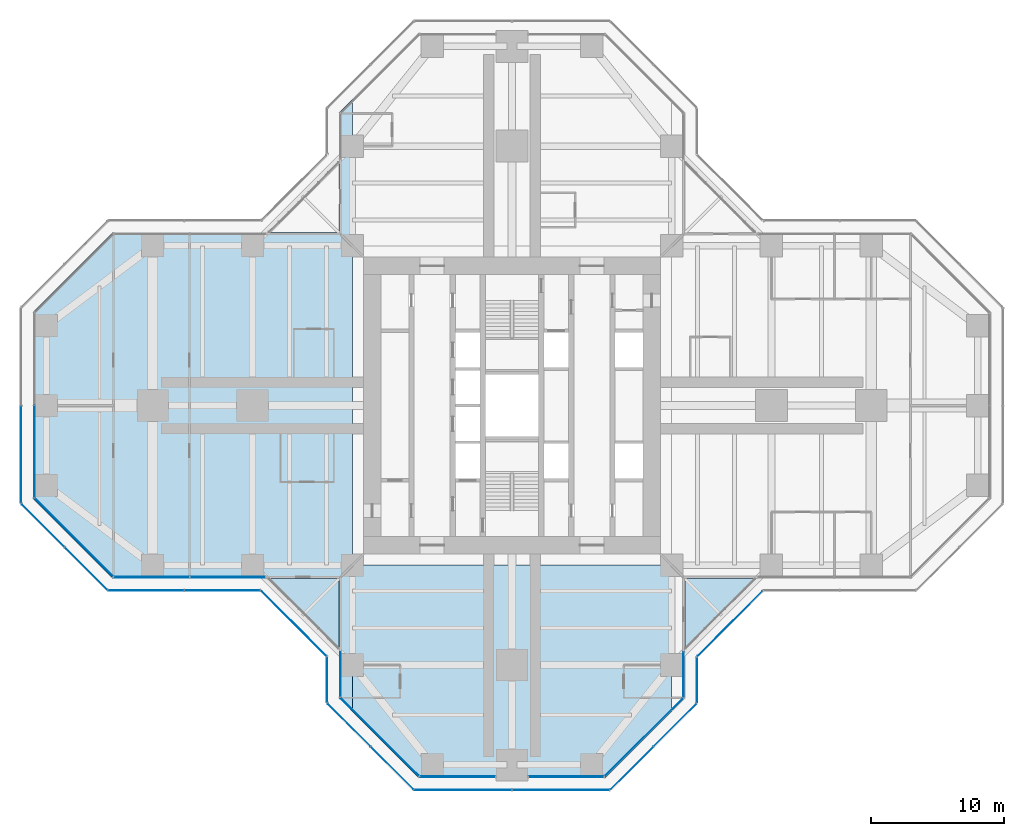
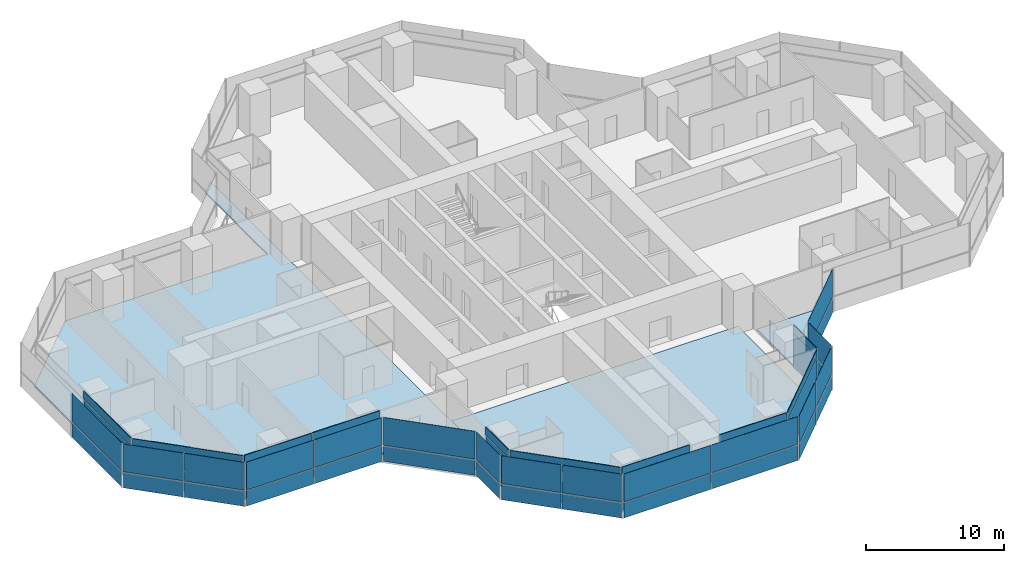
# One storey, part 12 of 20: 50 plates, 4 slabs, 19 elements without a shape of their own.
"""IFC4 building model written with IfcOpenShell, lengths in metres."""

from ifc_helpers import new_model, si_unit, direction, frame, origin, origin_2d, place, context, subcontext, project, spatial, polyline, rectangle, outline, extrude, material, layer, layer_set, type_object, element, aggregate, save


model = new_model("IFC4")

# Units and contexts
model_context = context("Model", 3, precision=1e-05, world=origin(), true_north=direction((0.0, 1.0)))
body_context = subcontext(model_context, "Body", "Model", "MODEL_VIEW")
ifc_project = project(units=[si_unit("LENGTHUNIT", "METRE"), si_unit("AREAUNIT", "SQUARE_METRE"), si_unit("VOLUMEUNIT", "CUBIC_METRE"), si_unit("PLANEANGLEUNIT", "RADIAN"), si_unit("MASSUNIT", "GRAM", prefix="KILO")], contexts=[model_context])

# Site, building, storey
site_placement = place(None, origin())
site = spatial("IfcSite", under=ifc_project, at=site_placement, CompositionType="ELEMENT")
building_placement = place(site_placement, origin())
building = spatial("IfcBuilding", under=site, at=building_placement, Name="Mizan Broadcast Tower", CompositionType="ELEMENT")
storey_placement = place(building_placement, frame((0.0, 0.0, 147.60009765625)))
storey = spatial("IfcBuildingStorey", under=building, at=storey_placement, Name="L33", CompositionType="ELEMENT", Elevation=147.60009765625)

# Slabs
ifc_material_1 = material(Name="Concrete C32/40", Category="concrete")
ifc_layer_1 = layer(ifc_material_1, 0.1298828125)
ifc_layer_set_1 = layer_set([ifc_layer_1], Name="Concrete C32/40")
slab_type_1 = type_object("IfcSlabType", Name="COMPOSITE DECK SLAB 130", PredefinedType="FLOOR", material=ifc_layer_set_1)
slab_1_placement = place(storey_placement, frame((0.0, 0.0, -0.130126953125)))
element("IfcSlab", 1, at=slab_1_placement, inside=storey, type_object=slab_type_1, Name="Floor slab L33 west arm", PredefinedType="FLOOR", context=body_context, shape_type="SweptSolid", body=[
    extrude(outline(polyline([(-13.0, -22.0), (-12.0, -23.0), (-12.0, 23.0), (-13.0, 22.0), (-13.0, 13.0), (-30.0, 13.0), (-36.0, 7.0), (-36.0, -7.0), (-30.0, -13.0), (-13.0, -13.0), (-13.0, -22.0)])), origin(), (0.0, 0.0, 1.0), 0.130126953125),
])
slab_2_placement = place(storey_placement, frame((0.0, 0.0, -0.130126953125)))
element("IfcSlab", 2, at=slab_2_placement, inside=storey, type_object=slab_type_1, Name="Floor slab L33 south arm", PredefinedType="FLOOR", context=body_context, shape_type="SweptSolid", body=[
    extrude(outline(polyline([(7.0, -28.0), (12.0, -23.0), (12.0, -12.0), (-12.0, -12.0), (-12.0, -23.0), (-7.0, -28.0), (7.0, -28.0)])), origin(), (0.0, 0.0, 1.0), 0.130126953125),
])

# Curtain wall, plate
ifc_material_2 = material(Name="Aluminium framed glazing", Category="aluminium")
curtain_wall_type_1 = type_object("IfcCurtainWallType", Name="INNER SKIN MID ZONE", PredefinedType="USERDEFINED", material=ifc_material_2)
curtain_wall_1_placement = place(storey_placement, origin())
curtain_wall_1 = element("IfcCurtainWall", 3, at=curtain_wall_1_placement, inside=storey, type_object=curtain_wall_type_1, Name="Inner skin mid zone L33 W end", ObjectType="INNER SKIN MID ZONE", PredefinedType="USERDEFINED")
ifc_material_3 = material(Name="Double glazing, clear low-e", Category="glass")
ifc_layer_2 = layer(ifc_material_3, 0.028076171875)
ifc_layer_set_2 = layer_set([ifc_layer_2], Name="Double glazing, clear low-e")
plate_type_1 = type_object("IfcPlateType", Name="INNER SKIN GLAZING UNIT", PredefinedType="CURTAIN_PANEL", material=ifc_layer_set_2)
plate_1_placement = place(storey_placement, frame((-35.89990234375, -3.46435546875, 0.0), z_axis=(0.0, 0.0, 1.0), x_axis=(0.0, -1.0, 0.0)))
plate_1 = element("IfcPlate", 4, at=plate_1_placement, type_object=plate_type_1, Name="Inner skin mid zone L33 W end panel 2.1", PredefinedType="CURTAIN_PANEL", context=body_context, shape_type="SweptSolid", body=[
    extrude(rectangle(XDim=6.86865234375, YDim=0.028076171875, at=origin_2d()), origin(), (0.0, 0.0, 1.0), 3.0),
])

curtain_wall_2_placement = place(storey_placement, origin())
curtain_wall_2 = element("IfcCurtainWall", 5, at=curtain_wall_2_placement, inside=storey, type_object=curtain_wall_type_1, Name="Inner skin mid zone L33 W chamfer", ObjectType="INNER SKIN MID ZONE", PredefinedType="USERDEFINED")
plate_2_placement = place(storey_placement, frame((-32.92919921875, -9.92919921875, 0.0), z_axis=(0.0, 0.0, 1.0), x_axis=(0.707106781187, -0.707106781187, 0.0)))
plate_2 = element("IfcPlate", 6, at=plate_2_placement, type_object=plate_type_1, Name="Inner skin mid zone L33 W chamfer panel 1.1", PredefinedType="CURTAIN_PANEL", context=body_context, shape_type="SweptSolid", body=[
    extrude(rectangle(XDim=8.282470703125, YDim=0.028076171875, at=origin_2d()), origin(), (0.0, 0.0, 1.0), 3.0),
])

# Curtain wall, plates
curtain_wall_3_placement = place(storey_placement, origin())
curtain_wall_3 = element("IfcCurtainWall", 7, at=curtain_wall_3_placement, inside=storey, type_object=curtain_wall_type_1, Name="Inner skin mid zone L33 W side", ObjectType="INNER SKIN MID ZONE", PredefinedType="USERDEFINED")
plate_3_placement = place(storey_placement, frame((-27.078857421875, -12.89990234375, 0.0), z_axis=(0.0, 0.0, 1.0), x_axis=(1.0, 0.0, 0.0)))
plate_3 = element("IfcPlate", 8, at=plate_3_placement, type_object=plate_type_1, Name="Inner skin mid zone L33 W side panel 1.1", PredefinedType="CURTAIN_PANEL", context=body_context, shape_type="SweptSolid", body=[
    extrude(rectangle(XDim=5.639404296875, YDim=0.028076171875, at=origin_2d()), origin(), (0.0, 0.0, 1.0), 3.0),
])
plate_4_placement = place(storey_placement, frame((-21.379638671875, -12.89990234375, 0.0), z_axis=(0.0, 0.0, 1.0), x_axis=(1.0, 0.0, 0.0)))
plate_4 = element("IfcPlate", 9, at=plate_4_placement, type_object=plate_type_1, Name="Inner skin mid zone L33 W side panel 2.1", PredefinedType="CURTAIN_PANEL", context=body_context, shape_type="SweptSolid", body=[
    extrude(rectangle(XDim=5.639404296875, YDim=0.028076171875, at=origin_2d()), origin(), (0.0, 0.0, 1.0), 3.0),
])

# Curtain wall, plate
curtain_wall_4_placement = place(storey_placement, origin())
curtain_wall_4 = element("IfcCurtainWall", 10, at=curtain_wall_4_placement, inside=storey, type_object=curtain_wall_type_1, Name="Inner skin mid zone L33 S side", ObjectType="INNER SKIN MID ZONE", PredefinedType="USERDEFINED")
plate_5_placement = place(storey_placement, frame((-12.89990234375, -20.229248046875, 0.0), z_axis=(0.0, 0.0, 1.0), x_axis=(0.0, -1.0, 0.0)))
plate_5 = element("IfcPlate", 11, at=plate_5_placement, type_object=plate_type_1, Name="Inner skin mid zone L33 S side panel 1.1", PredefinedType="CURTAIN_PANEL", context=body_context, shape_type="SweptSolid", body=[
    extrude(rectangle(XDim=3.338623046875, YDim=0.028076171875, at=origin_2d()), origin(), (0.0, 0.0, 1.0), 3.0),
])

curtain_wall_5_placement = place(storey_placement, origin())
curtain_wall_5 = element("IfcCurtainWall", 12, at=curtain_wall_5_placement, inside=storey, type_object=curtain_wall_type_1, Name="Inner skin mid zone L33 S chamfer", ObjectType="INNER SKIN MID ZONE", PredefinedType="USERDEFINED")
plate_6_placement = place(storey_placement, frame((-9.92919921875, -24.92919921875, 0.0), z_axis=(0.0, 0.0, 1.0), x_axis=(0.707106781187, -0.707106781187, 0.0)))
plate_6 = element("IfcPlate", 13, at=plate_6_placement, type_object=plate_type_1, Name="Inner skin mid zone L33 S chamfer panel 1.1", PredefinedType="CURTAIN_PANEL", context=body_context, shape_type="SweptSolid", body=[
    extrude(rectangle(XDim=8.282470703125, YDim=0.028076171875, at=origin_2d()), origin(), (0.0, 0.0, 1.0), 3.0),
])

curtain_wall_6_placement = place(storey_placement, origin())
curtain_wall_6 = element("IfcCurtainWall", 14, at=curtain_wall_6_placement, inside=storey, type_object=curtain_wall_type_1, Name="Inner skin mid zone L33 S end", ObjectType="INNER SKIN MID ZONE", PredefinedType="USERDEFINED")
plate_7_placement = place(storey_placement, frame((-4.079345703125, -27.89990234375, 0.0), z_axis=(0.0, 0.0, 1.0), x_axis=(1.0, 0.0, 0.0)))
plate_7 = element("IfcPlate", 15, at=plate_7_placement, type_object=plate_type_1, Name="Inner skin mid zone L33 S end panel 1.1", PredefinedType="CURTAIN_PANEL", context=body_context, shape_type="SweptSolid", body=[
    extrude(rectangle(XDim=5.638671875, YDim=0.028076171875, at=origin_2d()), origin(), (0.0, 0.0, 1.0), 3.0),
])

curtain_wall_7_placement = place(storey_placement, origin())
curtain_wall_7 = element("IfcCurtainWall", 16, at=curtain_wall_7_placement, inside=storey, type_object=curtain_wall_type_1, Name="Inner skin mid zone L33 S end", ObjectType="INNER SKIN MID ZONE", PredefinedType="USERDEFINED")
plate_8_placement = place(storey_placement, frame((4.079345703125, -27.89990234375, 0.0), z_axis=(0.0, 0.0, 1.0), x_axis=(1.0, 0.0, 0.0)))
plate_8 = element("IfcPlate", 17, at=plate_8_placement, type_object=plate_type_1, Name="Inner skin mid zone L33 S end panel 1.1", PredefinedType="CURTAIN_PANEL", context=body_context, shape_type="SweptSolid", body=[
    extrude(rectangle(XDim=5.638671875, YDim=0.028076171875, at=origin_2d()), origin(), (0.0, 0.0, 1.0), 3.0),
])

curtain_wall_8_placement = place(storey_placement, origin())
curtain_wall_8 = element("IfcCurtainWall", 18, at=curtain_wall_8_placement, inside=storey, type_object=curtain_wall_type_1, Name="Inner skin mid zone L33 S chamfer", ObjectType="INNER SKIN MID ZONE", PredefinedType="USERDEFINED")
plate_9_placement = place(storey_placement, frame((9.92919921875, -24.92919921875, 0.0), z_axis=(0.0, 0.0, 1.0), x_axis=(0.707106781187, 0.707106781187, 0.0)))
plate_9 = element("IfcPlate", 19, at=plate_9_placement, type_object=plate_type_1, Name="Inner skin mid zone L33 S chamfer panel 1.1", PredefinedType="CURTAIN_PANEL", context=body_context, shape_type="SweptSolid", body=[
    extrude(rectangle(XDim=8.282470703125, YDim=0.028076171875, at=origin_2d()), origin(), (0.0, 0.0, 1.0), 3.0),
])

curtain_wall_9_placement = place(storey_placement, origin())
curtain_wall_9 = element("IfcCurtainWall", 20, at=curtain_wall_9_placement, inside=storey, type_object=curtain_wall_type_1, Name="Inner skin mid zone L33 S side", ObjectType="INNER SKIN MID ZONE", PredefinedType="USERDEFINED")
plate_10_placement = place(storey_placement, frame((12.89990234375, -20.229248046875, 0.0), z_axis=(0.0, 0.0, 1.0), x_axis=(0.0, 1.0, 0.0)))
plate_10 = element("IfcPlate", 21, at=plate_10_placement, type_object=plate_type_1, Name="Inner skin mid zone L33 S side panel 1.1", PredefinedType="CURTAIN_PANEL", context=body_context, shape_type="SweptSolid", body=[
    extrude(rectangle(XDim=3.338623046875, YDim=0.028076171875, at=origin_2d()), origin(), (0.0, 0.0, 1.0), 3.0),
])

# Plate
ifc_material_4 = material(Name="Insulated aluminium spandrel panel, pale anodised", Category="aluminium")
ifc_layer_3 = layer(ifc_material_4, 0.050048828125)
ifc_layer_set_3 = layer_set([ifc_layer_3], Name="Insulated aluminium spandrel panel, pale anodised")
plate_type_2 = type_object("IfcPlateType", Name="INNER SKIN SPANDREL PANEL", PredefinedType="CURTAIN_PANEL", material=ifc_layer_set_3)
plate_11_placement = place(storey_placement, frame((-35.89990234375, -3.46435546875, 3.059814453125), z_axis=(0.0, 0.0, 1.0), x_axis=(0.0, -1.0, 0.0)))
plate_11 = element("IfcPlate", 22, at=plate_11_placement, type_object=plate_type_2, Name="Inner skin mid zone L33 W end panel 2.2", PredefinedType="CURTAIN_PANEL", context=body_context, shape_type="SweptSolid", body=[
    extrude(rectangle(XDim=6.86865234375, YDim=0.050048828125, at=origin_2d()), origin(), (0.0, 0.0, 1.0), 0.7099609375),
])

aggregate(curtain_wall_1, [plate_1, plate_11])

plate_12_placement = place(storey_placement, frame((-32.92919921875, -9.92919921875, 3.059814453125), z_axis=(0.0, 0.0, 1.0), x_axis=(0.707106781187, -0.707106781187, 0.0)))
plate_12 = element("IfcPlate", 23, at=plate_12_placement, type_object=plate_type_2, Name="Inner skin mid zone L33 W chamfer panel 1.2", PredefinedType="CURTAIN_PANEL", context=body_context, shape_type="SweptSolid", body=[
    extrude(rectangle(XDim=8.282470703125, YDim=0.050048828125, at=origin_2d()), origin(), (0.0, 0.0, 1.0), 0.7099609375),
])

aggregate(curtain_wall_2, [plate_2, plate_12])

plate_13_placement = place(storey_placement, frame((-27.078857421875, -12.89990234375, 3.059814453125), z_axis=(0.0, 0.0, 1.0), x_axis=(1.0, 0.0, 0.0)))
plate_13 = element("IfcPlate", 24, at=plate_13_placement, type_object=plate_type_2, Name="Inner skin mid zone L33 W side panel 1.2", PredefinedType="CURTAIN_PANEL", context=body_context, shape_type="SweptSolid", body=[
    extrude(rectangle(XDim=5.639404296875, YDim=0.050048828125, at=origin_2d()), origin(), (0.0, 0.0, 1.0), 0.7099609375),
])

plate_14_placement = place(storey_placement, frame((-21.379638671875, -12.89990234375, 3.059814453125), z_axis=(0.0, 0.0, 1.0), x_axis=(1.0, 0.0, 0.0)))
plate_14 = element("IfcPlate", 25, at=plate_14_placement, type_object=plate_type_2, Name="Inner skin mid zone L33 W side panel 2.2", PredefinedType="CURTAIN_PANEL", context=body_context, shape_type="SweptSolid", body=[
    extrude(rectangle(XDim=5.639404296875, YDim=0.050048828125, at=origin_2d()), origin(), (0.0, 0.0, 1.0), 0.7099609375),
])

aggregate(curtain_wall_3, [plate_3, plate_13, plate_4, plate_14])

plate_15_placement = place(storey_placement, frame((-12.89990234375, -20.229248046875, 3.059814453125), z_axis=(0.0, 0.0, 1.0), x_axis=(0.0, -1.0, 0.0)))
plate_15 = element("IfcPlate", 26, at=plate_15_placement, type_object=plate_type_2, Name="Inner skin mid zone L33 S side panel 1.2", PredefinedType="CURTAIN_PANEL", context=body_context, shape_type="SweptSolid", body=[
    extrude(rectangle(XDim=3.338623046875, YDim=0.050048828125, at=origin_2d()), origin(), (0.0, 0.0, 1.0), 0.7099609375),
])

aggregate(curtain_wall_4, [plate_5, plate_15])

plate_16_placement = place(storey_placement, frame((-9.92919921875, -24.92919921875, 3.059814453125), z_axis=(0.0, 0.0, 1.0), x_axis=(0.707106781187, -0.707106781187, 0.0)))
plate_16 = element("IfcPlate", 27, at=plate_16_placement, type_object=plate_type_2, Name="Inner skin mid zone L33 S chamfer panel 1.2", PredefinedType="CURTAIN_PANEL", context=body_context, shape_type="SweptSolid", body=[
    extrude(rectangle(XDim=8.282470703125, YDim=0.050048828125, at=origin_2d()), origin(), (0.0, 0.0, 1.0), 0.7099609375),
])

aggregate(curtain_wall_5, [plate_6, plate_16])

plate_17_placement = place(storey_placement, frame((-4.079345703125, -27.89990234375, 3.059814453125), z_axis=(0.0, 0.0, 1.0), x_axis=(1.0, 0.0, 0.0)))
plate_17 = element("IfcPlate", 28, at=plate_17_placement, type_object=plate_type_2, Name="Inner skin mid zone L33 S end panel 1.2", PredefinedType="CURTAIN_PANEL", context=body_context, shape_type="SweptSolid", body=[
    extrude(rectangle(XDim=5.638671875, YDim=0.050048828125, at=origin_2d()), origin(), (0.0, 0.0, 1.0), 0.7099609375),
])

aggregate(curtain_wall_6, [plate_7, plate_17])

plate_18_placement = place(storey_placement, frame((4.079345703125, -27.89990234375, 3.059814453125), z_axis=(0.0, 0.0, 1.0), x_axis=(1.0, 0.0, 0.0)))
plate_18 = element("IfcPlate", 29, at=plate_18_placement, type_object=plate_type_2, Name="Inner skin mid zone L33 S end panel 1.2", PredefinedType="CURTAIN_PANEL", context=body_context, shape_type="SweptSolid", body=[
    extrude(rectangle(XDim=5.638671875, YDim=0.050048828125, at=origin_2d()), origin(), (0.0, 0.0, 1.0), 0.7099609375),
])

aggregate(curtain_wall_7, [plate_8, plate_18])

plate_19_placement = place(storey_placement, frame((9.92919921875, -24.92919921875, 3.059814453125), z_axis=(0.0, 0.0, 1.0), x_axis=(0.707106781187, 0.707106781187, 0.0)))
plate_19 = element("IfcPlate", 30, at=plate_19_placement, type_object=plate_type_2, Name="Inner skin mid zone L33 S chamfer panel 1.2", PredefinedType="CURTAIN_PANEL", context=body_context, shape_type="SweptSolid", body=[
    extrude(rectangle(XDim=8.282470703125, YDim=0.050048828125, at=origin_2d()), origin(), (0.0, 0.0, 1.0), 0.7099609375),
])

aggregate(curtain_wall_8, [plate_9, plate_19])

plate_20_placement = place(storey_placement, frame((12.89990234375, -20.229248046875, 3.059814453125), z_axis=(0.0, 0.0, 1.0), x_axis=(0.0, 1.0, 0.0)))
plate_20 = element("IfcPlate", 31, at=plate_20_placement, type_object=plate_type_2, Name="Inner skin mid zone L33 S side panel 1.2", PredefinedType="CURTAIN_PANEL", context=body_context, shape_type="SweptSolid", body=[
    extrude(rectangle(XDim=3.338623046875, YDim=0.050048828125, at=origin_2d()), origin(), (0.0, 0.0, 1.0), 0.7099609375),
])

aggregate(curtain_wall_9, [plate_10, plate_20])

# Curtain wall, plates
ifc_material_5 = material(Name="Aluminium framed glazing", Category="aluminium")
curtain_wall_type_2 = type_object("IfcCurtainWallType", Name="OUTER SKIN", PredefinedType="USERDEFINED", material=ifc_material_5)
curtain_wall_10_placement = place(storey_placement, origin())
curtain_wall_10 = element("IfcCurtainWall", 32, at=curtain_wall_10_placement, inside=storey, type_object=curtain_wall_type_2, Name="Outer skin L33 W chamfer", ObjectType="OUTER SKIN", PredefinedType="USERDEFINED")
ifc_material_6 = material(Name="Laminated clear glass", Category="glass")
ifc_layer_4 = layer(ifc_material_6, 0.02001953125)
ifc_layer_set_4 = layer_set([ifc_layer_4], Name="Laminated clear glass")
plate_type_3 = type_object("IfcPlateType", Name="OUTER SKIN CLEAR GLASS", PredefinedType="CURTAIN_PANEL", material=ifc_layer_set_4)
plate_21_placement = place(storey_placement, frame((-35.254150390625, -9.018798828125, -0.000244140625), z_axis=(0.0, 0.0, 1.0), x_axis=(0.707106781187, -0.707106781187, 0.0)))
plate_21 = element("IfcPlate", 33, at=plate_21_placement, type_object=plate_type_3, Name="Outer skin L33 W chamfer panel 1.1", PredefinedType="CURTAIN_PANEL", context=body_context, shape_type="SweptSolid", body=[
    extrude(rectangle(XDim=4.495361328125, YDim=0.02001953125, at=origin_2d()), origin(), (0.0, 0.0, 1.0), 1.3701171875),
])
plate_22_placement = place(storey_placement, frame((-35.254150390625, -9.018798828125, 1.4296875), z_axis=(0.0, 0.0, 1.0), x_axis=(0.707106781187, -0.707106781187, 0.0)))
plate_22 = element("IfcPlate", 34, at=plate_22_placement, type_object=plate_type_3, Name="Outer skin L33 W chamfer panel 1.2", PredefinedType="CURTAIN_PANEL", context=body_context, shape_type="SweptSolid", body=[
    extrude(rectangle(XDim=4.495361328125, YDim=0.02001953125, at=origin_2d()), origin(), (0.0, 0.0, 1.0), 2.469970703125),
])

curtain_wall_11_placement = place(storey_placement, origin())
curtain_wall_11 = element("IfcCurtainWall", 35, at=curtain_wall_11_placement, inside=storey, type_object=curtain_wall_type_2, Name="Outer skin L33 W side", ObjectType="OUTER SKIN", PredefinedType="USERDEFINED")
plate_23_placement = place(storey_placement, frame((-27.477783203125, -13.89990234375, -0.000244140625), z_axis=(0.0, 0.0, 1.0), x_axis=(1.0, 0.0, 0.0)))
plate_23 = element("IfcPlate", 36, at=plate_23_placement, type_object=plate_type_3, Name="Outer skin L33 W side panel 1.1", PredefinedType="CURTAIN_PANEL", context=body_context, shape_type="SweptSolid", body=[
    extrude(rectangle(XDim=5.6298828125, YDim=0.02001953125, at=origin_2d()), origin(), (0.0, 0.0, 1.0), 1.3701171875),
])
plate_24_placement = place(storey_placement, frame((-27.477783203125, -13.89990234375, 1.4296875), z_axis=(0.0, 0.0, 1.0), x_axis=(1.0, 0.0, 0.0)))
plate_24 = element("IfcPlate", 37, at=plate_24_placement, type_object=plate_type_3, Name="Outer skin L33 W side panel 1.2", PredefinedType="CURTAIN_PANEL", context=body_context, shape_type="SweptSolid", body=[
    extrude(rectangle(XDim=5.6298828125, YDim=0.02001953125, at=origin_2d()), origin(), (0.0, 0.0, 1.0), 2.469970703125),
])

curtain_wall_12_placement = place(storey_placement, origin())
curtain_wall_12 = element("IfcCurtainWall", 38, at=curtain_wall_12_placement, inside=storey, type_object=curtain_wall_type_2, Name="Outer skin L33 W chamfer", ObjectType="OUTER SKIN", PredefinedType="USERDEFINED")
plate_25_placement = place(storey_placement, frame((-16.386474609375, -16.386474609375, -0.000244140625), z_axis=(0.0, 0.0, 1.0), x_axis=(0.707106781187, -0.707106781187, 0.0)))
plate_25 = element("IfcPlate", 39, at=plate_25_placement, type_object=plate_type_3, Name="Outer skin L33 W chamfer panel 1.1", PredefinedType="CURTAIN_PANEL", context=body_context, shape_type="SweptSolid", body=[
    extrude(rectangle(XDim=6.87255859375, YDim=0.02001953125, at=origin_2d()), origin(), (0.0, 0.0, 1.0), 1.3701171875),
])
plate_26_placement = place(storey_placement, frame((-16.386474609375, -16.386474609375, 1.4296875), z_axis=(0.0, 0.0, 1.0), x_axis=(0.707106781187, -0.707106781187, 0.0)))
plate_26 = element("IfcPlate", 40, at=plate_26_placement, type_object=plate_type_3, Name="Outer skin L33 W chamfer panel 1.2", PredefinedType="CURTAIN_PANEL", context=body_context, shape_type="SweptSolid", body=[
    extrude(rectangle(XDim=6.87255859375, YDim=0.02001953125, at=origin_2d()), origin(), (0.0, 0.0, 1.0), 2.469970703125),
])
aggregate(curtain_wall_12, [plate_25, plate_26])

curtain_wall_13_placement = place(storey_placement, origin())
curtain_wall_13 = element("IfcCurtainWall", 41, at=curtain_wall_13_placement, inside=storey, type_object=curtain_wall_type_2, Name="Outer skin L33 S side", ObjectType="OUTER SKIN", PredefinedType="USERDEFINED")
plate_27_placement = place(storey_placement, frame((-13.89990234375, -20.622802734375, -0.000244140625), z_axis=(0.0, 0.0, 1.0), x_axis=(0.0, -1.0, 0.0)))
plate_27 = element("IfcPlate", 42, at=plate_27_placement, type_object=plate_type_3, Name="Outer skin L33 S side panel 1.1", PredefinedType="CURTAIN_PANEL", context=body_context, shape_type="SweptSolid", body=[
    extrude(rectangle(XDim=3.340087890625, YDim=0.02001953125, at=origin_2d()), origin(), (0.0, 0.0, 1.0), 1.3701171875),
])
plate_28_placement = place(storey_placement, frame((-13.89990234375, -20.622802734375, 1.4296875), z_axis=(0.0, 0.0, 1.0), x_axis=(0.0, -1.0, 0.0)))
plate_28 = element("IfcPlate", 43, at=plate_28_placement, type_object=plate_type_3, Name="Outer skin L33 S side panel 1.2", PredefinedType="CURTAIN_PANEL", context=body_context, shape_type="SweptSolid", body=[
    extrude(rectangle(XDim=3.340087890625, YDim=0.02001953125, at=origin_2d()), origin(), (0.0, 0.0, 1.0), 2.469970703125),
])
aggregate(curtain_wall_13, [plate_27, plate_28])

curtain_wall_14_placement = place(storey_placement, origin())
curtain_wall_14 = element("IfcCurtainWall", 44, at=curtain_wall_14_placement, inside=storey, type_object=curtain_wall_type_2, Name="Outer skin L33 S chamfer", ObjectType="OUTER SKIN", PredefinedType="USERDEFINED")
plate_29_placement = place(storey_placement, frame((-12.254150390625, -24.018798828125, -0.000244140625), z_axis=(0.0, 0.0, 1.0), x_axis=(0.707106781187, -0.707106781187, 0.0)))
plate_29 = element("IfcPlate", 45, at=plate_29_placement, type_object=plate_type_3, Name="Outer skin L33 S chamfer panel 1.1", PredefinedType="CURTAIN_PANEL", context=body_context, shape_type="SweptSolid", body=[
    extrude(rectangle(XDim=4.495361328125, YDim=0.02001953125, at=origin_2d()), origin(), (0.0, 0.0, 1.0), 1.3701171875),
])
plate_30_placement = place(storey_placement, frame((-12.254150390625, -24.018798828125, 1.4296875), z_axis=(0.0, 0.0, 1.0), x_axis=(0.707106781187, -0.707106781187, 0.0)))
plate_30 = element("IfcPlate", 46, at=plate_30_placement, type_object=plate_type_3, Name="Outer skin L33 S chamfer panel 1.2", PredefinedType="CURTAIN_PANEL", context=body_context, shape_type="SweptSolid", body=[
    extrude(rectangle(XDim=4.495361328125, YDim=0.02001953125, at=origin_2d()), origin(), (0.0, 0.0, 1.0), 2.469970703125),
])

curtain_wall_15_placement = place(storey_placement, origin())
curtain_wall_15 = element("IfcCurtainWall", 47, at=curtain_wall_15_placement, inside=storey, type_object=curtain_wall_type_2, Name="Outer skin L33 S end", ObjectType="OUTER SKIN", PredefinedType="USERDEFINED")
plate_31_placement = place(storey_placement, frame((-3.66650390625, -28.89990234375, -0.000244140625), z_axis=(0.0, 0.0, 1.0), x_axis=(1.0, 0.0, 0.0)))
plate_31 = element("IfcPlate", 48, at=plate_31_placement, type_object=plate_type_3, Name="Outer skin L33 S end panel 1.1", PredefinedType="CURTAIN_PANEL", context=body_context, shape_type="SweptSolid", body=[
    extrude(rectangle(XDim=7.252685546875, YDim=0.02001953125, at=origin_2d()), origin(), (0.0, 0.0, 1.0), 1.3701171875),
])
plate_32_placement = place(storey_placement, frame((-3.66650390625, -28.89990234375, 1.4296875), z_axis=(0.0, 0.0, 1.0), x_axis=(1.0, 0.0, 0.0)))
plate_32 = element("IfcPlate", 49, at=plate_32_placement, type_object=plate_type_3, Name="Outer skin L33 S end panel 1.2", PredefinedType="CURTAIN_PANEL", context=body_context, shape_type="SweptSolid", body=[
    extrude(rectangle(XDim=7.252685546875, YDim=0.02001953125, at=origin_2d()), origin(), (0.0, 0.0, 1.0), 2.469970703125),
])

curtain_wall_16_placement = place(storey_placement, origin())
curtain_wall_16 = element("IfcCurtainWall", 50, at=curtain_wall_16_placement, inside=storey, type_object=curtain_wall_type_2, Name="Outer skin L33 S chamfer", ObjectType="OUTER SKIN", PredefinedType="USERDEFINED")
plate_33_placement = place(storey_placement, frame((9.018798828125, -27.254150390625, -0.000244140625), z_axis=(0.0, 0.0, 1.0), x_axis=(0.707106781187, 0.707106781187, 0.0)))
plate_33 = element("IfcPlate", 51, at=plate_33_placement, type_object=plate_type_3, Name="Outer skin L33 S chamfer panel 1.1", PredefinedType="CURTAIN_PANEL", context=body_context, shape_type="SweptSolid", body=[
    extrude(rectangle(XDim=4.495361328125, YDim=0.02001953125, at=origin_2d()), origin(), (0.0, 0.0, 1.0), 1.3701171875),
])
plate_34_placement = place(storey_placement, frame((9.018798828125, -27.254150390625, 1.4296875), z_axis=(0.0, 0.0, 1.0), x_axis=(0.707106781187, 0.707106781187, 0.0)))
plate_34 = element("IfcPlate", 52, at=plate_34_placement, type_object=plate_type_3, Name="Outer skin L33 S chamfer panel 1.2", PredefinedType="CURTAIN_PANEL", context=body_context, shape_type="SweptSolid", body=[
    extrude(rectangle(XDim=4.495361328125, YDim=0.02001953125, at=origin_2d()), origin(), (0.0, 0.0, 1.0), 2.469970703125),
])

curtain_wall_17_placement = place(storey_placement, origin())
curtain_wall_17 = element("IfcCurtainWall", 53, at=curtain_wall_17_placement, inside=storey, type_object=curtain_wall_type_2, Name="Outer skin L33 S side", ObjectType="OUTER SKIN", PredefinedType="USERDEFINED")
plate_35_placement = place(storey_placement, frame((13.89990234375, -20.622802734375, -0.000244140625), z_axis=(0.0, 0.0, 1.0), x_axis=(0.0, 1.0, 0.0)))
plate_35 = element("IfcPlate", 54, at=plate_35_placement, type_object=plate_type_3, Name="Outer skin L33 S side panel 1.1", PredefinedType="CURTAIN_PANEL", context=body_context, shape_type="SweptSolid", body=[
    extrude(rectangle(XDim=3.340087890625, YDim=0.02001953125, at=origin_2d()), origin(), (0.0, 0.0, 1.0), 1.3701171875),
])
plate_36_placement = place(storey_placement, frame((13.89990234375, -20.622802734375, 1.4296875), z_axis=(0.0, 0.0, 1.0), x_axis=(0.0, 1.0, 0.0)))
plate_36 = element("IfcPlate", 55, at=plate_36_placement, type_object=plate_type_3, Name="Outer skin L33 S side panel 1.2", PredefinedType="CURTAIN_PANEL", context=body_context, shape_type="SweptSolid", body=[
    extrude(rectangle(XDim=3.340087890625, YDim=0.02001953125, at=origin_2d()), origin(), (0.0, 0.0, 1.0), 2.469970703125),
])
aggregate(curtain_wall_17, [plate_35, plate_36])

curtain_wall_18_placement = place(storey_placement, origin())
curtain_wall_18 = element("IfcCurtainWall", 56, at=curtain_wall_18_placement, inside=storey, type_object=curtain_wall_type_2, Name="Outer skin L33 E chamfer", ObjectType="OUTER SKIN", PredefinedType="USERDEFINED")
plate_37_placement = place(storey_placement, frame((16.386474609375, -16.386474609375, -0.000244140625), z_axis=(0.0, 0.0, 1.0), x_axis=(0.707106781187, 0.707106781187, 0.0)))
plate_37 = element("IfcPlate", 57, at=plate_37_placement, type_object=plate_type_3, Name="Outer skin L33 E chamfer panel 1.1", PredefinedType="CURTAIN_PANEL", context=body_context, shape_type="SweptSolid", body=[
    extrude(rectangle(XDim=6.87255859375, YDim=0.02001953125, at=origin_2d()), origin(), (0.0, 0.0, 1.0), 1.3701171875),
])
plate_38_placement = place(storey_placement, frame((16.386474609375, -16.386474609375, 1.4296875), z_axis=(0.0, 0.0, 1.0), x_axis=(0.707106781187, 0.707106781187, 0.0)))
plate_38 = element("IfcPlate", 58, at=plate_38_placement, type_object=plate_type_3, Name="Outer skin L33 E chamfer panel 1.2", PredefinedType="CURTAIN_PANEL", context=body_context, shape_type="SweptSolid", body=[
    extrude(rectangle(XDim=6.87255859375, YDim=0.02001953125, at=origin_2d()), origin(), (0.0, 0.0, 1.0), 2.469970703125),
])
aggregate(curtain_wall_18, [plate_37, plate_38])

curtain_wall_19_placement = place(storey_placement, origin())
curtain_wall_19 = element("IfcCurtainWall", 59, at=curtain_wall_19_placement, inside=storey, type_object=curtain_wall_type_2, Name="Outer skin L33 W end", ObjectType="OUTER SKIN", PredefinedType="USERDEFINED")
ifc_material_7 = material(Name="Perforated aluminium, pale anodised", Category="aluminium")
ifc_layer_5 = layer(ifc_material_7, 0.011962890625)
ifc_layer_set_5 = layer_set([ifc_layer_5], Name="Perforated aluminium, pale anodised")
plate_type_4 = type_object("IfcPlateType", Name="OUTER SKIN PERFORATED SCREEN", PredefinedType="USERDEFINED", material=ifc_layer_set_5)
plate_39_placement = place(storey_placement, frame((-36.89990234375, -3.66650390625, -0.000244140625), z_axis=(0.0, 0.0, 1.0), x_axis=(0.0, -1.0, 0.0)))
plate_39 = element("IfcPlate", 60, at=plate_39_placement, type_object=plate_type_4, Name="Outer skin L33 W end panel 2.1", ObjectType="SCREEN", PredefinedType="USERDEFINED", context=body_context, shape_type="SweptSolid", body=[
    extrude(rectangle(XDim=7.252685546875, YDim=0.011962890625, at=origin_2d()), origin(), (0.0, 0.0, 1.0), 1.3701171875),
])
plate_40_placement = place(storey_placement, frame((-36.89990234375, -3.66650390625, 1.4296875), z_axis=(0.0, 0.0, 1.0), x_axis=(0.0, -1.0, 0.0)))
plate_40 = element("IfcPlate", 61, at=plate_40_placement, type_object=plate_type_4, Name="Outer skin L33 W end panel 2.2", ObjectType="SCREEN", PredefinedType="USERDEFINED", context=body_context, shape_type="SweptSolid", body=[
    extrude(rectangle(XDim=7.252685546875, YDim=0.011962890625, at=origin_2d()), origin(), (0.0, 0.0, 1.0), 2.469970703125),
])
aggregate(curtain_wall_19, [plate_39, plate_40])

# Plate
plate_41_placement = place(storey_placement, frame((-32.018798828125, -12.254150390625, -0.000244140625), z_axis=(0.0, 0.0, 1.0), x_axis=(0.707106781187, -0.707106781187, 0.0)))
plate_41 = element("IfcPlate", 62, at=plate_41_placement, type_object=plate_type_4, Name="Outer skin L33 W chamfer panel 2.1", ObjectType="SCREEN", PredefinedType="USERDEFINED", context=body_context, shape_type="SweptSolid", body=[
    extrude(rectangle(XDim=4.495361328125, YDim=0.011962890625, at=origin_2d()), origin(), (0.0, 0.0, 1.0), 1.3701171875),
])

plate_42_placement = place(storey_placement, frame((-32.018798828125, -12.254150390625, 1.4296875), z_axis=(0.0, 0.0, 1.0), x_axis=(0.707106781187, -0.707106781187, 0.0)))
plate_42 = element("IfcPlate", 63, at=plate_42_placement, type_object=plate_type_4, Name="Outer skin L33 W chamfer panel 2.2", ObjectType="SCREEN", PredefinedType="USERDEFINED", context=body_context, shape_type="SweptSolid", body=[
    extrude(rectangle(XDim=4.495361328125, YDim=0.011962890625, at=origin_2d()), origin(), (0.0, 0.0, 1.0), 2.469970703125),
])

aggregate(curtain_wall_10, [plate_21, plate_22, plate_41, plate_42])

plate_43_placement = place(storey_placement, frame((-21.767822265625, -13.89990234375, -0.000244140625), z_axis=(0.0, 0.0, 1.0), x_axis=(1.0, 0.0, 0.0)))
plate_43 = element("IfcPlate", 64, at=plate_43_placement, type_object=plate_type_4, Name="Outer skin L33 W side panel 2.1", ObjectType="SCREEN", PredefinedType="USERDEFINED", context=body_context, shape_type="SweptSolid", body=[
    extrude(rectangle(XDim=5.6298828125, YDim=0.011962890625, at=origin_2d()), origin(), (0.0, 0.0, 1.0), 1.3701171875),
])

plate_44_placement = place(storey_placement, frame((-21.767822265625, -13.89990234375, 1.4296875), z_axis=(0.0, 0.0, 1.0), x_axis=(1.0, 0.0, 0.0)))
plate_44 = element("IfcPlate", 65, at=plate_44_placement, type_object=plate_type_4, Name="Outer skin L33 W side panel 2.2", ObjectType="SCREEN", PredefinedType="USERDEFINED", context=body_context, shape_type="SweptSolid", body=[
    extrude(rectangle(XDim=5.6298828125, YDim=0.011962890625, at=origin_2d()), origin(), (0.0, 0.0, 1.0), 2.469970703125),
])

aggregate(curtain_wall_11, [plate_23, plate_24, plate_43, plate_44])

plate_45_placement = place(storey_placement, frame((-9.018798828125, -27.254150390625, -0.000244140625), z_axis=(0.0, 0.0, 1.0), x_axis=(0.707106781187, -0.707106781187, 0.0)))
plate_45 = element("IfcPlate", 66, at=plate_45_placement, type_object=plate_type_4, Name="Outer skin L33 S chamfer panel 2.1", ObjectType="SCREEN", PredefinedType="USERDEFINED", context=body_context, shape_type="SweptSolid", body=[
    extrude(rectangle(XDim=4.495361328125, YDim=0.011962890625, at=origin_2d()), origin(), (0.0, 0.0, 1.0), 1.3701171875),
])

plate_46_placement = place(storey_placement, frame((-9.018798828125, -27.254150390625, 1.4296875), z_axis=(0.0, 0.0, 1.0), x_axis=(0.707106781187, -0.707106781187, 0.0)))
plate_46 = element("IfcPlate", 67, at=plate_46_placement, type_object=plate_type_4, Name="Outer skin L33 S chamfer panel 2.2", ObjectType="SCREEN", PredefinedType="USERDEFINED", context=body_context, shape_type="SweptSolid", body=[
    extrude(rectangle(XDim=4.495361328125, YDim=0.011962890625, at=origin_2d()), origin(), (0.0, 0.0, 1.0), 2.469970703125),
])

aggregate(curtain_wall_14, [plate_29, plate_30, plate_45, plate_46])

plate_47_placement = place(storey_placement, frame((3.66650390625, -28.89990234375, -0.000244140625), z_axis=(0.0, 0.0, 1.0), x_axis=(1.0, 0.0, 0.0)))
plate_47 = element("IfcPlate", 68, at=plate_47_placement, type_object=plate_type_4, Name="Outer skin L33 S end panel 2.1", ObjectType="SCREEN", PredefinedType="USERDEFINED", context=body_context, shape_type="SweptSolid", body=[
    extrude(rectangle(XDim=7.252685546875, YDim=0.011962890625, at=origin_2d()), origin(), (0.0, 0.0, 1.0), 1.3701171875),
])

plate_48_placement = place(storey_placement, frame((3.66650390625, -28.89990234375, 1.4296875), z_axis=(0.0, 0.0, 1.0), x_axis=(1.0, 0.0, 0.0)))
plate_48 = element("IfcPlate", 69, at=plate_48_placement, type_object=plate_type_4, Name="Outer skin L33 S end panel 2.2", ObjectType="SCREEN", PredefinedType="USERDEFINED", context=body_context, shape_type="SweptSolid", body=[
    extrude(rectangle(XDim=7.252685546875, YDim=0.011962890625, at=origin_2d()), origin(), (0.0, 0.0, 1.0), 2.469970703125),
])

aggregate(curtain_wall_15, [plate_31, plate_32, plate_47, plate_48])

plate_49_placement = place(storey_placement, frame((12.254150390625, -24.018798828125, -0.000244140625), z_axis=(0.0, 0.0, 1.0), x_axis=(0.707106781187, 0.707106781187, 0.0)))
plate_49 = element("IfcPlate", 70, at=plate_49_placement, type_object=plate_type_4, Name="Outer skin L33 S chamfer panel 2.1", ObjectType="SCREEN", PredefinedType="USERDEFINED", context=body_context, shape_type="SweptSolid", body=[
    extrude(rectangle(XDim=4.495361328125, YDim=0.011962890625, at=origin_2d()), origin(), (0.0, 0.0, 1.0), 1.3701171875),
])

plate_50_placement = place(storey_placement, frame((12.254150390625, -24.018798828125, 1.4296875), z_axis=(0.0, 0.0, 1.0), x_axis=(0.707106781187, 0.707106781187, 0.0)))
plate_50 = element("IfcPlate", 71, at=plate_50_placement, type_object=plate_type_4, Name="Outer skin L33 S chamfer panel 2.2", ObjectType="SCREEN", PredefinedType="USERDEFINED", context=body_context, shape_type="SweptSolid", body=[
    extrude(rectangle(XDim=4.495361328125, YDim=0.011962890625, at=origin_2d()), origin(), (0.0, 0.0, 1.0), 2.469970703125),
])

aggregate(curtain_wall_16, [plate_33, plate_34, plate_49, plate_50])

# Slabs
ifc_material_8 = material(Name="Concrete C32/40", Category="concrete")
ifc_layer_6 = layer(ifc_material_8, 0.1298828125)
ifc_layer_set_6 = layer_set([ifc_layer_6], Name="Concrete C32/40")
slab_type_2 = type_object("IfcSlabType", Name="WINTER GARDEN SLAB 130", PredefinedType="FLOOR", material=ifc_layer_set_6)
slab_3_placement = place(storey_placement, frame((0.0, 0.0, -0.130126953125)))
element("IfcSlab", 72, at=slab_3_placement, inside=storey, type_object=slab_type_2, Name="Winter garden slab L33 W", PredefinedType="FLOOR", context=body_context, shape_type="SweptSolid", body=[
    extrude(outline(polyline([(-13.0, -13.0), (-18.5, -13.0), (-13.0, -18.5), (-13.0, -13.0)])), origin(), (0.0, 0.0, 1.0), 0.130126953125),
])
slab_4_placement = place(storey_placement, frame((0.0, 0.0, -0.130126953125)))
element("IfcSlab", 73, at=slab_4_placement, inside=storey, type_object=slab_type_2, Name="Winter garden slab L33 S", PredefinedType="FLOOR", context=body_context, shape_type="SweptSolid", body=[
    extrude(outline(polyline([(13.0, -13.0), (13.0, -18.5), (18.5, -13.0), (13.0, -13.0)])), origin(), (0.0, 0.0, 1.0), 0.130126953125),
])

save(model, "model.ifc")
